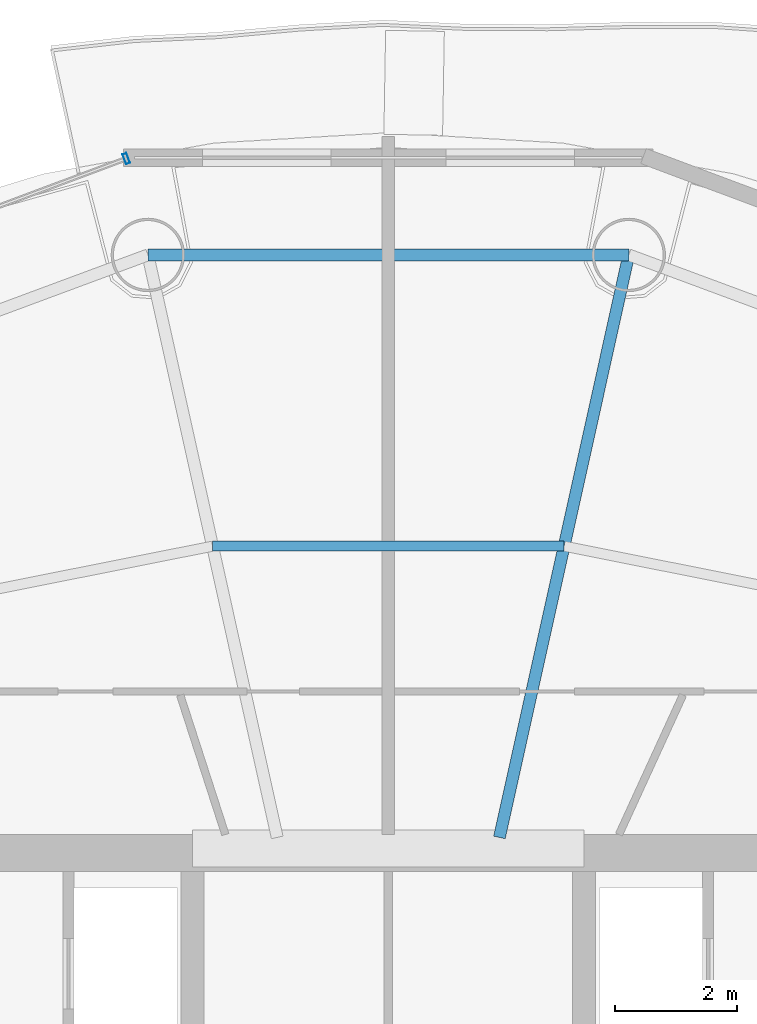
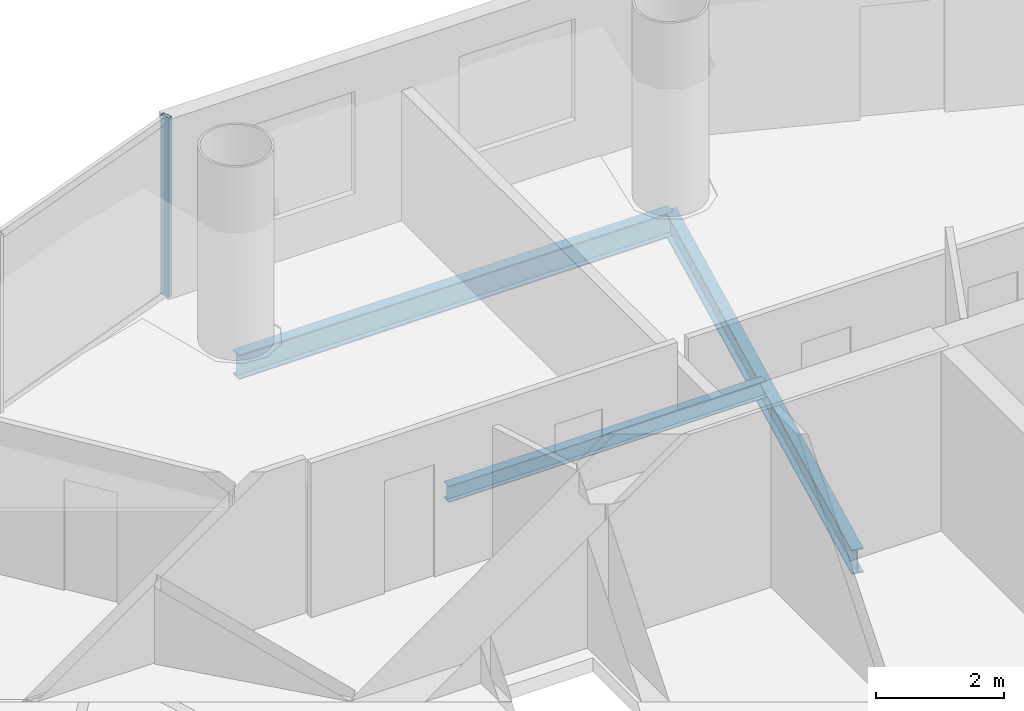
# One storey, part 16 of 26: 3 beams, 1 member, 1 element without a shape of its own.
"""IFC4 building model written with IfcOpenShell, lengths in metres."""

from ifc_helpers import new_model, si_unit, direction, frame, origin, origin_2d, place, context, subcontext, project, spatial, hollow_rectangle, i_section, extrude, source, transform, mapped, material, material_profile, profile_set, type_object, element, aggregate, save


model = new_model("IFC4")

# Units and contexts
model_context = context("Model", 3, precision=1e-05, world=origin(), true_north=direction((-0.2419218956, 0.970295726276)))
body_context = subcontext(model_context, "Body", "Model", "MODEL_VIEW")
ifc_project = project(units=[si_unit("LENGTHUNIT", "METRE"), si_unit("AREAUNIT", "SQUARE_METRE"), si_unit("VOLUMEUNIT", "CUBIC_METRE"), si_unit("PLANEANGLEUNIT", "RADIAN"), si_unit("MASSUNIT", "GRAM", prefix="KILO")], contexts=[model_context])

# Site, building, storey
site_placement = place(None, origin())
site = spatial("IfcSite", under=ifc_project, at=site_placement, CompositionType="ELEMENT")
building_placement = place(site_placement, origin())
building = spatial("IfcBuilding", under=site, at=building_placement, Name="Cobrevalo Terracotta Tower", CompositionType="ELEMENT")
storey_placement = place(building_placement, frame((0.0, 0.0, 209.699951171875)))
storey = spatial("IfcBuildingStorey", under=building, at=storey_placement, Name="L55", CompositionType="ELEMENT", Elevation=209.699951171875)

# Beams
ifc_material_1 = material(Name="Steel S355", Category="steel")
ifc_material_profile_1 = material_profile(ifc_material_1, i_section(OverallWidth=0.194091796875, OverallDepth=0.468994140625, WebThickness=0.011474609375, FlangeThickness=0.0205078125, at=origin_2d()), Name="W 460x106")
ifc_profile_set_1 = profile_set([ifc_material_profile_1], Name="Steel S355")
beam_type_1 = type_object("IfcBeamType", Name="Structural Beam W 460x106 (Steel S355)", PredefinedType="BEAM", material=ifc_profile_set_1)
beam_1_placement = place(storey_placement, frame((41.93115234375, 44.503173828125, -0.49951171875), z_axis=(-0.216782061165, -0.976220025382, 0.0), x_axis=(0.976220025382, -0.216782061165, 0.0)))
element("IfcBeam", 1, at=beam_1_placement, inside=storey, type_object=beam_type_1, Name="L55 radial floor girder 04", PredefinedType="BEAM", context=body_context, shape_type="SweptSolid", body=[
    extrude(i_section(OverallWidth=0.194091796875, OverallDepth=0.468994140625, WebThickness=0.011474609375, FlangeThickness=0.0205078125, at=origin_2d()), origin(), (0.0, 0.0, 1.0), 9.755126953125),
])
ifc_material_profile_2 = material_profile(ifc_material_1, i_section(OverallWidth=0.1650390625, OverallDepth=0.31005859375, WebThickness=0.005859375, FlangeThickness=0.009765625, at=origin_2d()), Name="W 310x38.7")
ifc_profile_set_2 = profile_set([ifc_material_profile_2], Name="Steel S355")
beam_type_2 = type_object("IfcBeamType", Name="Structural Joist W 310x38.7 (Steel S355)", PredefinedType="JOIST", material=ifc_profile_set_2)
beam_2_placement = place(storey_placement, frame((40.873779296875, 39.74169921875, -0.419921875), z_axis=(-1.0, 0.0, 0.0), x_axis=(0.0, -1.0, 0.0)))
element("IfcBeam", 2, at=beam_2_placement, inside=storey, type_object=beam_type_2, Name="L55 circumferential secondary floor joist 04", PredefinedType="JOIST", context=body_context, shape_type="SweptSolid", body=[
    extrude(i_section(OverallWidth=0.1650390625, OverallDepth=0.31005859375, WebThickness=0.005859375, FlangeThickness=0.009765625, at=origin_2d()), origin(), (0.0, 0.0, 1.0), 5.74755859375),
])
ifc_material_profile_3 = material_profile(ifc_material_1, i_section(OverallWidth=0.194091796875, OverallDepth=0.468994140625, WebThickness=0.011474609375, FlangeThickness=0.0205078125, at=origin_2d()), Name="W 460x106")
ifc_profile_set_3 = profile_set([ifc_material_profile_3], Name="Steel S355")
beam_type_3 = type_object("IfcBeamType", Name="Structural Spandrel W 460x106 (Steel S355)", PredefinedType="SPANDREL", material=ifc_profile_set_3)
beam_3_placement = place(storey_placement, frame((41.93115234375, 44.503173828125, -0.49951171875), z_axis=(-1.0, 0.0, 0.0), x_axis=(0.0, -1.0, 0.0)))
element("IfcBeam", 3, at=beam_3_placement, inside=storey, type_object=beam_type_3, Name="L55 perimeter ring spandrel 04", PredefinedType="SPANDREL", context=body_context, shape_type="SweptSolid", body=[
    extrude(i_section(OverallWidth=0.194091796875, OverallDepth=0.468994140625, WebThickness=0.011474609375, FlangeThickness=0.0205078125, at=origin_2d()), origin(), (0.0, 0.0, 1.0), 7.8623046875),
])

# Curtain wall, member
ifc_material_2 = material(Name="Anodized aluminium", Category="aluminium")
curtain_wall_type = type_object("IfcCurtainWallType", Name="Mid-tower high-wind unitised curtain wall CW-U2", PredefinedType="NOTDEFINED", material=ifc_material_2)
curtain_wall_placement = place(storey_placement, origin())
curtain_wall = element("IfcCurtainWall", 4, at=curtain_wall_placement, inside=storey, type_object=curtain_wall_type, Name="L55 curtain wall CW-L55-S05", PredefinedType="NOTDEFINED")
ifc_material_profile_4 = material_profile(ifc_material_2, hollow_rectangle(XDim=0.070068359375, YDim=0.169921875, WallThickness=0.00439453125, at=origin_2d()), Name="CWM 70x170")
ifc_profile_set_4 = profile_set([ifc_material_profile_4], Name="Anodized aluminium")
member_type = type_object("IfcMemberType", Name="Upper tower unitised mullion 70x170", PredefinedType="MULLION", material=ifc_profile_set_4)
shared_shape = source(origin(), body_context, "Body", "SweptSolid", [
    extrude(hollow_rectangle(XDim=0.070068359375, YDim=0.169921875, WallThickness=0.00439453125, at=origin_2d()), origin(), (0.0, 0.0, 1.0), 3.43505859375),
])
member_placement = place(storey_placement, frame((33.71533203125, 46.078125, 0.0), z_axis=(0.0, 0.0, 1.0), x_axis=(-0.936556004584, -0.350517974259, 0.0)))
member = element("IfcMember", 5, at=member_placement, type_object=member_type, Name="CW-L55-S05 vertical mullion 01", PredefinedType="MULLION", context=body_context, shape_type="MappedRepresentation", body=[
    mapped(shared_shape, transform((0.0, 0.0, 0.0), scale=1.0)),
])
aggregate(curtain_wall, [member])

save(model, "model.ifc")
